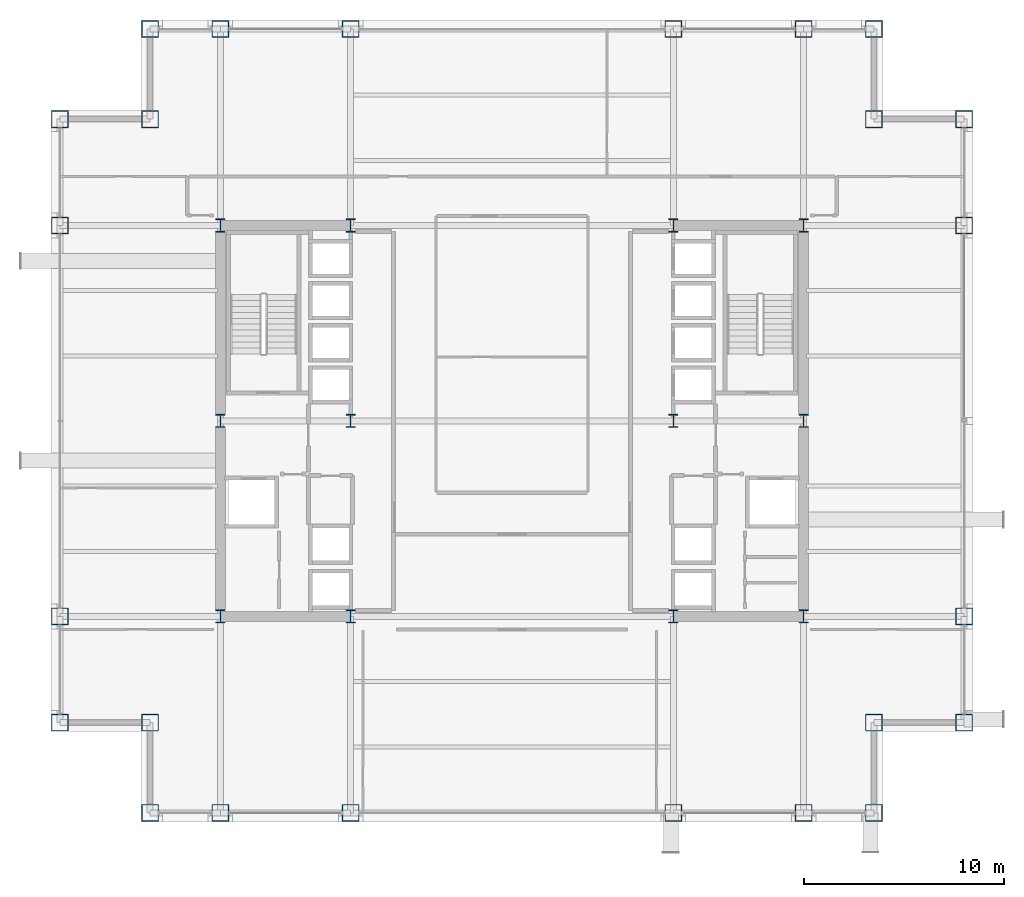
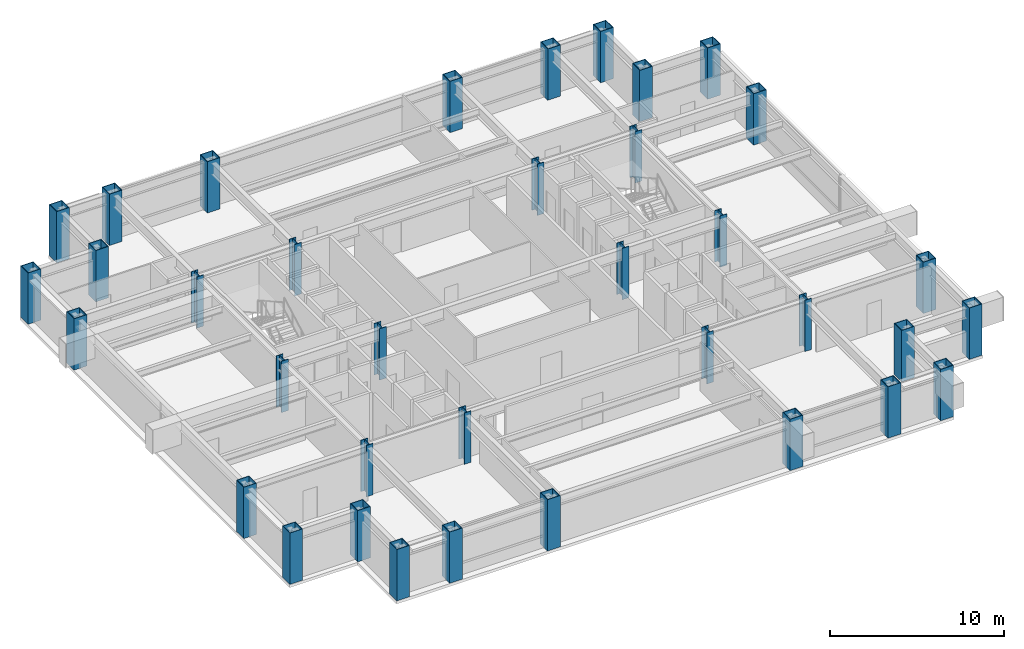
# One storey, part 1 of 28: 36 columns.
"""IFC4 building model written with IfcOpenShell, lengths in metres."""

from ifc_helpers import new_model, si_unit, direction, frame, origin, origin_2d, place, context, subcontext, project, spatial, hollow_rectangle, i_section, extrude, material, material_profile, profile_set, type_object, element, save


model = new_model("IFC4")

# Units and contexts
model_context = context("Model", 3, precision=1e-05, world=origin(), true_north=direction((0.0, 1.0)))
body_context = subcontext(model_context, "Body", "Model", "MODEL_VIEW")
ifc_project = project(units=[si_unit("LENGTHUNIT", "METRE"), si_unit("AREAUNIT", "SQUARE_METRE"), si_unit("VOLUMEUNIT", "CUBIC_METRE"), si_unit("PLANEANGLEUNIT", "RADIAN"), si_unit("MASSUNIT", "GRAM", prefix="KILO")], contexts=[model_context])

# Site, building, storey
site_placement = place(None, origin())
site = spatial("IfcSite", under=ifc_project, at=site_placement, CompositionType="ELEMENT")
building_placement = place(site_placement, origin())
building = spatial("IfcBuilding", under=site, at=building_placement, Name="Brelmoor Portico Tower", CompositionType="ELEMENT")
storey_placement = place(building_placement, frame((0.0, 0.0, 91.800048828125)))
storey = spatial("IfcBuildingStorey", under=building, at=storey_placement, Name="L23", CompositionType="ELEMENT", Elevation=91.800048828125)

# Columns
ifc_material = material(Name="Steel Q355B", Category="steel")
ifc_material_profile_1 = material_profile(ifc_material, hollow_rectangle(XDim=0.85009765625, YDim=0.85009765625, WallThickness=0.0400390625, at=origin_2d()), Name="BOX 850x850x40")
ifc_profile_set_1 = profile_set([ifc_material_profile_1], Name="Steel Q355B")
column_type_1 = type_object("IfcColumnType", Name="COL-MEGA-850", PredefinedType="COLUMN", material=ifc_profile_set_1)
for number, where, z_axis, x_axis, name in (
    (1, (-18.050048828125, -19.550048828125, 0.0), (0.0, 0.0, 1.0), (1.0, 0.0, 0.0), "L23 Perimeter Mega-Column PS01"),
    (2, (-14.550048828125, -19.550048828125, 0.0), (0.0, 0.0, 1.0), (1.0, 0.0, 0.0), "L23 Perimeter Mega-Column PS02"),
    (3, (-8.050048828125, -19.550048828125, 0.0), (0.0, 0.0, 1.0), (1.0, 0.0, 0.0), "L23 Perimeter Mega-Column PS03"),
    (4, (8.050048828125, -19.550048828125, 0.0), (0.0, 0.0, 1.0), (1.0, 0.0, 0.0), "L23 Perimeter Mega-Column PS04"),
    (5, (14.550048828125, -19.550048828125, 0.0), (0.0, 0.0, 1.0), (1.0, 0.0, 0.0), "L23 Perimeter Mega-Column PS05"),
    (6, (18.050048828125, -19.550048828125, 0.0), (0.0, 0.0, 1.0), (1.0, 0.0, 0.0), "L23 Perimeter Mega-Column PS06"),
    (7, (-18.050048828125, 19.550048828125, 0.0), (0.0, 0.0, 1.0), (1.0, 0.0, 0.0), "L23 Perimeter Mega-Column PN01"),
    (8, (-14.550048828125, 19.550048828125, 0.0), (0.0, 0.0, 1.0), (1.0, 0.0, 0.0), "L23 Perimeter Mega-Column PN02"),
    (9, (-8.050048828125, 19.550048828125, 0.0), (0.0, 0.0, 1.0), (1.0, 0.0, 0.0), "L23 Perimeter Mega-Column PN03"),
    (10, (8.050048828125, 19.550048828125, 0.0), (0.0, 0.0, 1.0), (1.0, 0.0, 0.0), "L23 Perimeter Mega-Column PN04"),
    (11, (14.550048828125, 19.550048828125, 0.0), (0.0, 0.0, 1.0), (1.0, 0.0, 0.0), "L23 Perimeter Mega-Column PN05"),
    (12, (18.050048828125, 19.550048828125, 0.0), (0.0, 0.0, 1.0), (1.0, 0.0, 0.0), "L23 Perimeter Mega-Column PN06"),
    (13, (-22.550048828125, -15.050048828125, 0.0), (0.0, 0.0, 1.0), (0.0, 1.0, 0.0), "L23 Perimeter Mega-Column PW01"),
    (14, (-22.550048828125, -9.75, 0.0), (0.0, 0.0, 1.0), (0.0, 1.0, 0.0), "L23 Perimeter Mega-Column PW02"),
    (15, (-22.550048828125, 9.75, 0.0), (0.0, 0.0, 1.0), (0.0, 1.0, 0.0), "L23 Perimeter Mega-Column PW03"),
    (16, (-22.550048828125, 15.050048828125, 0.0), (0.0, 0.0, 1.0), (0.0, 1.0, 0.0), "L23 Perimeter Mega-Column PW04"),
    (17, (22.550048828125, -15.050048828125, 0.0), (0.0, 0.0, 1.0), (0.0, 1.0, 0.0), "L23 Perimeter Mega-Column PE01"),
    (18, (22.550048828125, -9.75, 0.0), (0.0, 0.0, 1.0), (0.0, 1.0, 0.0), "L23 Perimeter Mega-Column PE02"),
    (19, (22.550048828125, 9.75, 0.0), (0.0, 0.0, 1.0), (0.0, 1.0, 0.0), "L23 Perimeter Mega-Column PE03"),
    (20, (22.550048828125, 15.050048828125, 0.0), (0.0, 0.0, 1.0), (0.0, 1.0, 0.0), "L23 Perimeter Mega-Column PE04"),
    (21, (-18.050048828125, 15.050048828125, 0.0), (0.0, 0.0, 1.0), (1.0, 0.0, 0.0), "L23 Perimeter Mega-Column PC-NW"),
    (22, (18.050048828125, 15.050048828125, 0.0), (0.0, 0.0, 1.0), (1.0, 0.0, 0.0), "L23 Perimeter Mega-Column PC-NE"),
    (23, (18.050048828125, -15.050048828125, 0.0), (0.0, 0.0, 1.0), (1.0, 0.0, 0.0), "L23 Perimeter Mega-Column PC-SE"),
    (24, (-18.050048828125, -15.050048828125, 0.0), (0.0, 0.0, 1.0), (1.0, 0.0, 0.0), "L23 Perimeter Mega-Column PC-SW"),
):
    element("IfcColumn", number, at=place(storey_placement, frame(where, z_axis=z_axis, x_axis=x_axis)), inside=storey, type_object=column_type_1, Name=name, PredefinedType="COLUMN", context=body_context, shape_type="SweptSolid", body=[
        extrude(hollow_rectangle(XDim=0.85009765625, YDim=0.85009765625, WallThickness=0.0400390625, at=origin_2d()), origin(), (0.0, 0.0, 1.0), 3.599853515625),
    ])
ifc_material_profile_2 = material_profile(ifc_material, i_section(OverallWidth=0.449951171875, OverallDepth=0.64990234375, WebThickness=0.02490234375, FlangeThickness=0.0400390625, at=origin_2d()), Name="HW 650x450x25x40")
ifc_profile_set_2 = profile_set([ifc_material_profile_2], Name="Steel Q355B")
column_type_2 = type_object("IfcColumnType", Name="COL-SPINE-650", PredefinedType="COLUMN", material=ifc_profile_set_2)
for number, where, z_axis, x_axis, name in (
    (25, (-14.550048828125, -9.75, 0.0), (0.0, 0.0, 1.0), (1.0, 0.0, 0.0), "L23 Core Spine Column CW-SW"),
    (26, (-14.550048828125, 0.0, 0.0), (0.0, 0.0, 1.0), (1.0, 0.0, 0.0), "L23 Core Spine Column CW-MW"),
    (27, (-14.550048828125, 9.75, 0.0), (0.0, 0.0, 1.0), (1.0, 0.0, 0.0), "L23 Core Spine Column CW-NW"),
    (28, (-8.050048828125, -9.75, 0.0), (0.0, 0.0, 1.0), (1.0, 0.0, 0.0), "L23 Core Spine Column CW-SE"),
    (29, (-8.050048828125, 0.0, 0.0), (0.0, 0.0, 1.0), (1.0, 0.0, 0.0), "L23 Core Spine Column CW-ME"),
    (30, (-8.050048828125, 9.75, 0.0), (0.0, 0.0, 1.0), (1.0, 0.0, 0.0), "L23 Core Spine Column CW-NE"),
    (31, (8.050048828125, -9.75, 0.0), (0.0, 0.0, 1.0), (1.0, 0.0, 0.0), "L23 Core Spine Column CE-SW"),
    (32, (8.050048828125, 0.0, 0.0), (0.0, 0.0, 1.0), (1.0, 0.0, 0.0), "L23 Core Spine Column CE-MW"),
    (33, (8.050048828125, 9.75, 0.0), (0.0, 0.0, 1.0), (1.0, 0.0, 0.0), "L23 Core Spine Column CE-NW"),
    (34, (14.550048828125, -9.75, 0.0), (0.0, 0.0, 1.0), (1.0, 0.0, 0.0), "L23 Core Spine Column CE-SE"),
    (35, (14.550048828125, 0.0, 0.0), (0.0, 0.0, 1.0), (1.0, 0.0, 0.0), "L23 Core Spine Column CE-ME"),
    (36, (14.550048828125, 9.75, 0.0), (0.0, 0.0, 1.0), (1.0, 0.0, 0.0), "L23 Core Spine Column CE-NE"),
):
    element("IfcColumn", number, at=place(storey_placement, frame(where, z_axis=z_axis, x_axis=x_axis)), inside=storey, type_object=column_type_2, Name=name, PredefinedType="COLUMN", context=body_context, shape_type="SweptSolid", body=[
        extrude(i_section(OverallWidth=0.449951171875, OverallDepth=0.64990234375, WebThickness=0.02490234375, FlangeThickness=0.0400390625, at=origin_2d()), origin(), (0.0, 0.0, 1.0), 3.599853515625),
    ])

save(model, "model.ifc")
